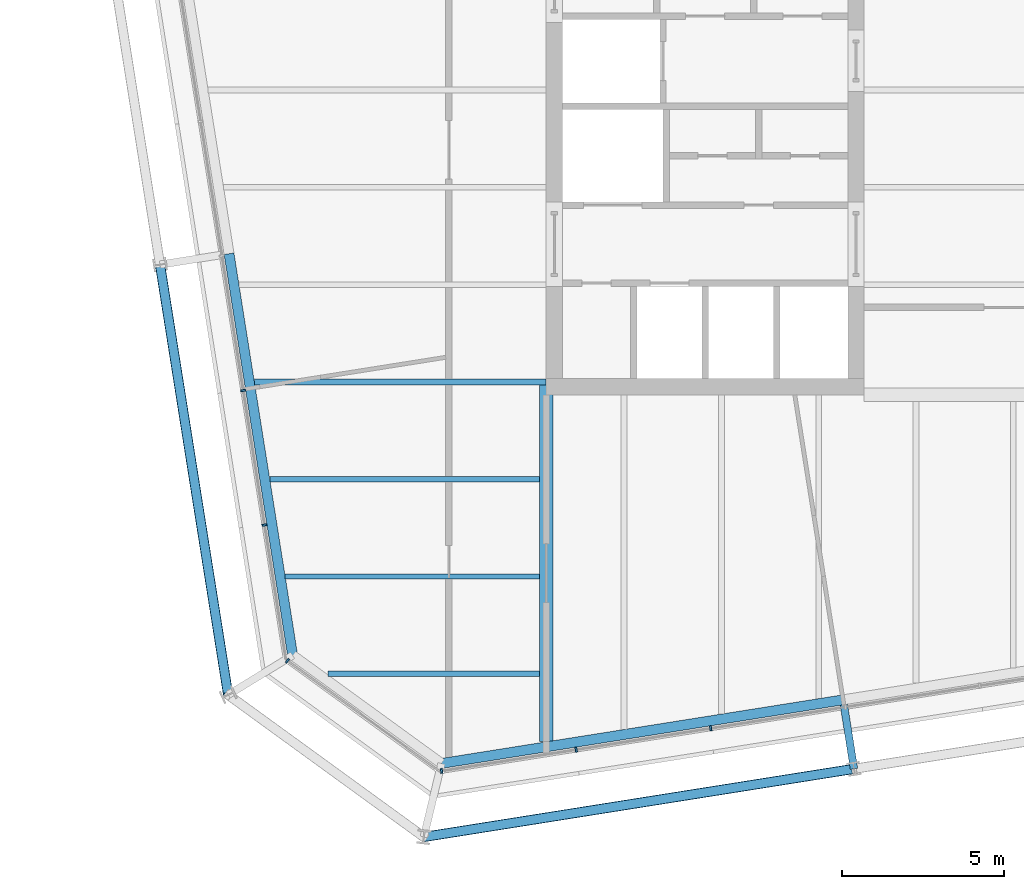
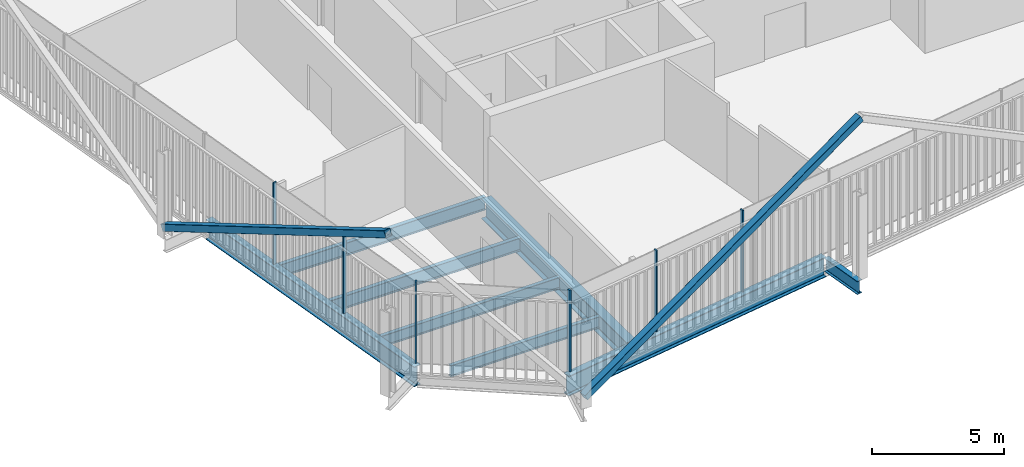
# One storey, part 2 of 21: 8 beams, 8 members, 3 elements without a shape of their own.
"""IFC4 building model written with IfcOpenShell, lengths in metres."""

import ifcopenshell
import ifcopenshell.guid

model = None  # the IFC model being written
_history = None  # IfcOwnerHistory: only IFC2X3 demands one
_inside = {}  # id of a spatial element -> (the spatial element, [elements in it])
_under = {}  # id of a project, library or spatial element -> (it, [spatial elements below it])
_declared = {}  # id of a project -> (the project, [libraries it declares])
_typed = {}  # id of a type object -> (the type object, [elements of that type])
_made_of = {}  # id of a material, layer set ... -> (it, [elements and type objects made of it])


def new_model(schema):
    """Start an empty IFC model of exactly this schema.

    Asked for "IFC4X3", IfcOpenShell would pick the latest addendum, in which some entities
    have other attributes; the version numbers below select the first issue.
    IFC2X3 requires an IfcOwnerHistory on every rooted entity: one is made here for all.
    """
    global model, _history
    if schema == "IFC4X3":
        model = ifcopenshell.file(schema_version=(4, 3, 0, 0))
    else:
        model = ifcopenshell.file(schema=schema)
    _inside.clear()
    _under.clear()
    _declared.clear()
    _typed.clear()
    _made_of.clear()
    _history = None
    if model.schema == "IFC2X3":
        org = make("IfcOrganization", Name="unknown")
        user = make(
            "IfcPersonAndOrganization",
            ThePerson=make("IfcPerson", FamilyName="unknown"),
            TheOrganization=org,
        )
        app = make(
            "IfcApplication",
            ApplicationDeveloper=org,
            Version="unknown",
            ApplicationFullName="unknown",
            ApplicationIdentifier="unknown",
        )
        _history = make(
            "IfcOwnerHistory",
            OwningUser=user,
            OwningApplication=app,
            ChangeAction="ADDED",
            CreationDate=0,
        )
    return model


def make(cls, **values):
    """One entity of the class cls with the attributes given. An attribute that is None is left unset."""
    return model.create_entity(
        cls, **{name: value for name, value in values.items() if value is not None}
    )


def rooted(cls, **values):
    """An entity with a GlobalId (a new one), such as an element, a storey or a relation."""
    return make(cls, GlobalId=ifcopenshell.guid.new(), OwnerHistory=_history, **values)


def si_unit(unit_type, name, prefix=None):
    """IfcSIUnit, for example si_unit("LENGTHUNIT", "METRE", prefix="MILLI")."""
    return make("IfcSIUnit", UnitType=unit_type, Prefix=prefix, Name=name)


def assignment(units):
    """IfcUnitAssignment: the units of a project."""
    return None if units is None else make("IfcUnitAssignment", Units=units)


def point(xyz):
    """IfcCartesianPoint."""
    return None if xyz is None else make("IfcCartesianPoint", Coordinates=xyz)


def direction(xyz):
    """IfcDirection."""
    return None if xyz is None else make("IfcDirection", DirectionRatios=xyz)


def frame(location, z_axis=None, x_axis=None):
    """IfcAxis2Placement3D, a coordinate frame: its origin and axes. An axis left out is left unset."""
    return make(
        "IfcAxis2Placement3D",
        Location=point(location),
        Axis=direction(z_axis),
        RefDirection=direction(x_axis),
    )


def frame_2d(location, x_axis=None):
    """IfcAxis2Placement2D, a coordinate frame in the plane: its origin and x axis."""
    return make(
        "IfcAxis2Placement2D", Location=point(location), RefDirection=direction(x_axis)
    )


def origin():
    """The frame at (0, 0, 0) with its axes left unset."""
    return frame((0.0, 0.0, 0.0))


def origin_2d():
    """The frame at (0, 0) in the plane with its x axis left unset."""
    return frame_2d((0.0, 0.0))


def place(relative_to, where):
    """IfcLocalPlacement: puts the frame where relative to a parent placement (None: the world)."""
    return make(
        "IfcLocalPlacement", PlacementRelTo=relative_to, RelativePlacement=where
    )


def context(
    kind, dimensions, precision=None, world=None, true_north=None, identifier=None
):
    """IfcGeometricRepresentationContext, for example the 3D "Model" context."""
    return make(
        "IfcGeometricRepresentationContext",
        ContextIdentifier=identifier,
        ContextType=kind,
        CoordinateSpaceDimension=dimensions,
        Precision=precision,
        WorldCoordinateSystem=world,
        TrueNorth=true_north,
    )


def subcontext(parent, identifier, kind, view, scale=None):
    """IfcGeometricRepresentationSubContext, for example "Body" below "Model"."""
    return make(
        "IfcGeometricRepresentationSubContext",
        ContextIdentifier=identifier,
        ContextType=kind,
        ParentContext=parent,
        TargetScale=scale,
        TargetView=view,
    )


def project(units=None, contexts=None):
    """IfcProject with its units and contexts."""
    return rooted(
        "IfcProject",
        Name="project",
        RepresentationContexts=contexts,
        UnitsInContext=assignment(units),
    )


def spatial(cls, under=None, at=None, **own):
    """A site, building, storey or space (cls), placed at a placement, below another one or the project."""
    s = rooted(cls, ObjectPlacement=at, **own)
    if under is not None:
        _under.setdefault(under.id(), (under, []))[1].append(s)
    return s


def profile(cls, at=None, kind="AREA", **sizes):
    """A parametric profile (cls). Its sizes go by their IFC names, for example OverallWidth=200.0."""
    return make(cls, ProfileType=kind, Position=at, **sizes)


def rectangle(**sizes):
    """IfcRectangleProfileDef."""
    return profile("IfcRectangleProfileDef", **sizes)


def hollow_rectangle(**sizes):
    """IfcRectangleHollowProfileDef."""
    return profile("IfcRectangleHollowProfileDef", **sizes)


def i_section(**sizes):
    """IfcIShapeProfileDef."""
    return profile("IfcIShapeProfileDef", **sizes)


def extrude(swept, where, along, depth):
    """IfcExtrudedAreaSolid: the profile swept, set in the frame where, extruded along a direction by depth."""
    return make(
        "IfcExtrudedAreaSolid",
        SweptArea=swept,
        Position=where,
        ExtrudedDirection=direction(along),
        Depth=depth,
    )


def shape(context_of_items, identifier, shape_type, items):
    """IfcShapeRepresentation: the items that make up one representation, for example the "Body"."""
    return make(
        "IfcShapeRepresentation",
        ContextOfItems=context_of_items,
        RepresentationIdentifier=identifier,
        RepresentationType=shape_type,
        Items=items,
    )


def material(Name=None, Category=None):
    """IfcMaterial."""
    return make("IfcMaterial", Name=Name, Category=Category)


def layer(
    of_material, thickness, ventilated=None, Name=None, Category=None, Priority=None
):
    """IfcMaterialLayer: one layer of a wall or slab, of a material (None: an air gap)."""
    return make(
        "IfcMaterialLayer",
        Material=of_material,
        LayerThickness=thickness,
        IsVentilated=ventilated,
        Name=Name,
        Category=Category,
        Priority=Priority,
    )


def layer_set(layers, Name=None):
    """IfcMaterialLayerSet."""
    return make("IfcMaterialLayerSet", MaterialLayers=layers, LayerSetName=Name)


def material_profile(
    of_material, cross_section, Name=None, Category=None, Priority=None
):
    """IfcMaterialProfile: a cross section and its material."""
    return make(
        "IfcMaterialProfile",
        Name=Name,
        Material=of_material,
        Profile=cross_section,
        Priority=Priority,
        Category=Category,
    )


def profile_set(profiles, Name=None, composite=None):
    """IfcMaterialProfileSet."""
    return make(
        "IfcMaterialProfileSet",
        Name=Name,
        MaterialProfiles=profiles,
        CompositeProfile=composite,
    )


def made_of(thing, what):
    """Note that an element or type object is made of a material, layer set ...; save() writes the relation."""
    if what is not None:
        _made_of.setdefault(what.id(), (what, []))[1].append(thing)
    return thing


def type_object(cls, material=None, **own):
    """A type object (cls), such as IfcWallType, which elements share."""
    return made_of(rooted(cls, **own), material)


def element(
    cls,
    number,
    at=None,
    inside=None,
    cuts=None,
    type_object=None,
    material=None,
    context=None,
    identifier="Body",
    shape_type=None,
    held_by="IfcProductDefinitionShape",
    body=None,
    shapes=None,
    **own,
):
    """One element of the class cls, such as IfcWall. Its Tag is "e" and its number.

    at: its placement. inside: the storey or other place that contains it. cuts: it is an
    opening in that element (IfcRelVoidsElement). A single representation is given by context,
    identifier, shape_type and body (its items); several are given by shapes. held_by: the class
    of the entity that holds the representations. save() writes the other relations.
    """
    e = rooted(cls, Tag="e%d" % number, ObjectPlacement=at, **own)
    if body is not None:
        shapes = [shape(context, identifier, shape_type, body)]
    if shapes is not None:
        e.Representation = make(held_by, Representations=shapes)
    if inside is not None:
        _inside.setdefault(inside.id(), (inside, []))[1].append(e)
    if cuts is not None:
        rooted(
            "IfcRelVoidsElement", RelatingBuildingElement=cuts, RelatedOpeningElement=e
        )
    if type_object is not None:
        _typed.setdefault(type_object.id(), (type_object, []))[1].append(e)
    return made_of(e, material)


def aggregate(whole, parts):
    """IfcRelAggregates: a whole, such as a stair, and the parts it consists of."""
    return rooted("IfcRelAggregates", RelatingObject=whole, RelatedObjects=parts)


def save(model, path):
    """Write the relations noted so far, then the file.

    IfcRelAggregates (storeys below a building ...), IfcRelContainedInSpatialStructure (elements
    in a storey), IfcRelDefinesByType, IfcRelAssociatesMaterial and IfcRelDeclares: one each for
    every whole, place, type object, material and project.
    """
    for whole, parts in _under.values():
        aggregate(whole, parts)
    for where, things in _inside.values():
        rooted(
            "IfcRelContainedInSpatialStructure",
            RelatedElements=things,
            RelatingStructure=where,
        )
    for kind, things in _typed.values():
        rooted("IfcRelDefinesByType", RelatedObjects=things, RelatingType=kind)
    for what, things in _made_of.values():
        rooted("IfcRelAssociatesMaterial", RelatedObjects=things, RelatingMaterial=what)
    for by, libraries in _declared.values():
        rooted("IfcRelDeclares", RelatingContext=by, RelatedDefinitions=libraries)
    model.write(path)


model = new_model("IFC4")

# Units and contexts
model_context = context("Model", 3, precision=1e-05, world=origin(), true_north=direction((0.0, 1.0)))
body_context = subcontext(model_context, "Body", "Model", "MODEL_VIEW")
ifc_project = project(units=[si_unit("LENGTHUNIT", "METRE"), si_unit("AREAUNIT", "SQUARE_METRE"), si_unit("VOLUMEUNIT", "CUBIC_METRE"), si_unit("PLANEANGLEUNIT", "RADIAN"), si_unit("MASSUNIT", "GRAM", prefix="KILO")], contexts=[model_context])

# Site, building, storey
site_placement = place(None, origin())
site = spatial("IfcSite", under=ifc_project, at=site_placement, CompositionType="ELEMENT")
building_placement = place(site_placement, origin())
building = spatial("IfcBuilding", under=site, at=building_placement, Name="Millrace Tower", CompositionType="ELEMENT")
storey_placement = place(building_placement, frame((0.0, 0.0, 212.5)))
storey = spatial("IfcBuildingStorey", under=building, at=storey_placement, Name="L48", CompositionType="ELEMENT", Elevation=212.5)

# Curtain wall, member
ifc_material_1 = material(Name="Aluminium and glass", Category="aluminium")
ifc_layer = layer(ifc_material_1, 0.14990234375)
ifc_layer_set = layer_set([ifc_layer], Name="Aluminium and glass")
curtain_wall_type = type_object("IfcCurtainWallType", Name="CW-1 office vision curtain wall", PredefinedType="NOTDEFINED", material=ifc_layer_set)
placement = place(storey_placement, origin())
curtain_wall_1 = element("IfcCurtainWall", 1, at=placement, inside=storey, type_object=curtain_wall_type, Name="Curtain wall D-F01 L48", PredefinedType="NOTDEFINED")
ifc_material_2 = material(Name="Aluminium", Category="aluminium")
ifc_material_profile_1 = material_profile(ifc_material_2, rectangle(XDim=0.06494140625, YDim=0.14990234375, at=origin_2d()))
ifc_profile_set_1 = profile_set([ifc_material_profile_1], Name="Aluminium")
member_type_1 = type_object("IfcMemberType", Name="CW-1 office vision curtain wall mullion", PredefinedType="MULLION", material=ifc_profile_set_1)
member_1_placement = place(storey_placement, frame((-22.3779296875, -17.594970703125, 0.139892578125), z_axis=(0.0, 0.0, 1.0), x_axis=(0.809016955361, -0.587785305991, 0.0)))
member_1 = element("IfcMember", 2, at=member_1_placement, type_object=member_type_1, Name="CW1 mullion D-F01.1", PredefinedType="MULLION", context=body_context, shape_type="SweptSolid", body=[
    extrude(rectangle(XDim=0.06494140625, YDim=0.14990234375, at=origin_2d()), origin(), (0.0, 0.0, 1.0), 3.760009765625),
])
aggregate(curtain_wall_1, [member_1])

# Curtain wall, members
curtain_wall_2 = element("IfcCurtainWall", 3, at=placement, inside=storey, type_object=curtain_wall_type, Name="Curtain wall D-F02 L48", PredefinedType="NOTDEFINED")
member_2_placement = place(storey_placement, frame((-17.62548828125, -20.992431640625, 0.139892578125), z_axis=(0.0, 0.0, 1.0), x_axis=(0.987688339511, 0.156434471884, 0.0)))
member_2 = element("IfcMember", 4, at=member_2_placement, type_object=member_type_1, Name="CW1 mullion D-F02.1", PredefinedType="MULLION", context=body_context, shape_type="SweptSolid", body=[
    extrude(rectangle(XDim=0.06494140625, YDim=0.14990234375, at=origin_2d()), origin(), (0.0, 0.0, 1.0), 3.760009765625),
])
member_3_placement = place(storey_placement, frame((-13.477294921875, -20.33544921875, 0.139892578125), z_axis=(0.0, 0.0, 1.0), x_axis=(0.987688339511, 0.156434471884, 0.0)))
member_3 = element("IfcMember", 5, at=member_3_placement, type_object=member_type_1, Name="CW1 mullion D-F02.2", PredefinedType="MULLION", context=body_context, shape_type="SweptSolid", body=[
    extrude(rectangle(XDim=0.06494140625, YDim=0.14990234375, at=origin_2d()), origin(), (0.0, 0.0, 1.0), 3.760009765625),
])
member_4_placement = place(storey_placement, frame((-9.328857421875, -19.678466796875, 0.139892578125), z_axis=(0.0, 0.0, 1.0), x_axis=(0.987688339511, 0.156434471884, 0.0)))
member_4 = element("IfcMember", 6, at=member_4_placement, type_object=member_type_1, Name="CW1 mullion D-F02.3", PredefinedType="MULLION", context=body_context, shape_type="SweptSolid", body=[
    extrude(rectangle(XDim=0.06494140625, YDim=0.14990234375, at=origin_2d()), origin(), (0.0, 0.0, 1.0), 3.760009765625),
])
aggregate(curtain_wall_2, [member_2, member_3, member_4])

curtain_wall_3 = element("IfcCurtainWall", 7, at=placement, inside=storey, type_object=curtain_wall_type, Name="Curtain wall D-F08 L48", PredefinedType="NOTDEFINED")
member_5_placement = place(storey_placement, frame((-23.7431640625, -9.262451171875, 0.139892578125), z_axis=(0.0, 0.0, 1.0), x_axis=(0.156434471884, -0.987688339511, 0.0)))
member_5 = element("IfcMember", 8, at=member_5_placement, type_object=member_type_1, Name="CW1 mullion D-F08.8", PredefinedType="MULLION", context=body_context, shape_type="SweptSolid", body=[
    extrude(rectangle(XDim=0.06494140625, YDim=0.14990234375, at=origin_2d()), origin(), (0.0, 0.0, 1.0), 3.760009765625),
])
member_6_placement = place(storey_placement, frame((-23.086181640625, -13.410888671875, 0.139892578125), z_axis=(0.0, 0.0, 1.0), x_axis=(0.156434471884, -0.987688339511, 0.0)))
member_6 = element("IfcMember", 9, at=member_6_placement, type_object=member_type_1, Name="CW1 mullion D-F08.9", PredefinedType="MULLION", context=body_context, shape_type="SweptSolid", body=[
    extrude(rectangle(XDim=0.06494140625, YDim=0.14990234375, at=origin_2d()), origin(), (0.0, 0.0, 1.0), 3.760009765625),
])
aggregate(curtain_wall_3, [member_5, member_6])

# Members
ifc_material_3 = material(Name="Steel ASTM A500 Grade C", Category="steel")
ifc_material_profile_2 = material_profile(ifc_material_3, hollow_rectangle(XDim=0.3046875, YDim=0.3046875, WallThickness=0.0126953125, InnerFilletRadius=0.00634765625, OuterFilletRadius=0.01904296875, at=origin_2d()))
ifc_profile_set_2 = profile_set([ifc_material_profile_2], Name="Steel ASTM A500 Grade C")
member_type_2 = type_object("IfcMemberType", Name="Exoskeleton brace HSS12x12x1/2", PredefinedType="BRACE", material=ifc_profile_set_2)
member_7_placement = place(storey_placement, frame((-18.174560546875, -23.0283203125, 0.39990234375), z_axis=(0.875831763156, 0.138714339442, 0.462252154868), x_axis=(-0.156430301989, 0.987688999949, 0.0)))
element("IfcMember", 10, at=member_7_placement, inside=storey, type_object=member_type_2, Name="BRC-D-L48-02", PredefinedType="BRACE", context=body_context, shape_type="SweptSolid", body=[
    extrude(hollow_rectangle(XDim=0.3046875, YDim=0.3046875, WallThickness=0.0126953125, InnerFilletRadius=0.00634765625, OuterFilletRadius=0.01904296875, at=origin_2d()), origin(), (0.0, 0.0, 1.0), 15.143310546875),
])
member_8_placement = place(storey_placement, frame((-26.306640625, -5.38330078125, 0.39990234375), z_axis=(0.138712380788, -0.87583551821, 0.462245627841), x_axis=(0.987689444837, 0.156427492975, 0.0)))
element("IfcMember", 11, at=member_8_placement, inside=storey, type_object=member_type_2, Name="BRC-D-L48-16", PredefinedType="BRACE", context=body_context, shape_type="SweptSolid", body=[
    extrude(hollow_rectangle(XDim=0.3046875, YDim=0.3046875, WallThickness=0.0126953125, InnerFilletRadius=0.00634765625, OuterFilletRadius=0.01904296875, at=origin_2d()), origin(), (0.0, 0.0, 1.0), 15.1435546875),
])

# Beams
ifc_material_4 = material(Name="Steel ASTM A992 Grade 50", Category="steel")
ifc_material_profile_3 = material_profile(ifc_material_4, i_section(OverallWidth=0.1650390625, OverallDepth=0.52587890625, WebThickness=0.0087890625, FlangeThickness=0.011474609375, FilletRadius=0.0126953125, at=origin_2d()))
ifc_profile_set_3 = profile_set([ifc_material_profile_3], Name="Steel ASTM A992 Grade 50")
beam_type_1 = type_object("IfcBeamType", Name="Floor beam W21x44", PredefinedType="JOIST", material=ifc_profile_set_3)
beam_1_placement = place(storey_placement, frame((-22.447509765625, -15.0, -0.4228515625), z_axis=(1.0, 0.0, 0.0), x_axis=(0.0, 1.0, 0.0)))
element("IfcBeam", 12, at=beam_1_placement, inside=storey, type_object=beam_type_1, Name="BM-D-L48-S1-S002", PredefinedType="JOIST", context=body_context, shape_type="SweptSolid", body=[
    extrude(i_section(OverallWidth=0.1650390625, OverallDepth=0.52587890625, WebThickness=0.0087890625, FlangeThickness=0.011474609375, FilletRadius=0.0126953125, at=origin_2d()), origin(), (0.0, 0.0, 1.0), 7.837890625),
])
beam_2_placement = place(storey_placement, frame((-21.13427734375, -18.0, -0.4228515625), z_axis=(1.0, 0.0, 0.0), x_axis=(0.0, 1.0, 0.0)))
element("IfcBeam", 13, at=beam_2_placement, inside=storey, type_object=beam_type_1, Name="BM-D-L48-S1-S001", PredefinedType="JOIST", context=body_context, shape_type="SweptSolid", body=[
    extrude(i_section(OverallWidth=0.1650390625, OverallDepth=0.52587890625, WebThickness=0.0087890625, FlangeThickness=0.011474609375, FilletRadius=0.0126953125, at=origin_2d()), origin(), (0.0, 0.0, 1.0), 6.524658203125),
])
ifc_material_5 = material(Name="Steel ASTM A992 Grade 50", Category="steel")
ifc_material_profile_4 = material_profile(ifc_material_5, i_section(OverallWidth=0.177978515625, OverallDepth=0.599365234375, WebThickness=0.010009765625, FlangeThickness=0.012939453125, FilletRadius=0.012939453125, at=origin_2d()))
ifc_profile_set_4 = profile_set([ifc_material_profile_4], Name="Steel ASTM A992 Grade 50")
beam_type_2 = type_object("IfcBeamType", Name="Floor beam W24x55", PredefinedType="JOIST", material=ifc_profile_set_4)
beam_3_placement = place(storey_placement, frame((-22.922607421875, -12.0, -0.459716796875), z_axis=(1.0, 0.0, 0.0), x_axis=(0.0, 1.0, 0.0)))
element("IfcBeam", 14, at=beam_3_placement, inside=storey, type_object=beam_type_2, Name="BM-D-L48-S1-S004", PredefinedType="JOIST", context=body_context, shape_type="SweptSolid", body=[
    extrude(i_section(OverallWidth=0.177978515625, OverallDepth=0.599365234375, WebThickness=0.010009765625, FlangeThickness=0.012939453125, FilletRadius=0.012939453125, at=origin_2d()), origin(), (0.0, 0.0, 1.0), 8.31298828125),
])
beam_4_placement = place(storey_placement, frame((-23.397705078125, -9.0, -0.459716796875), z_axis=(1.0, 0.0, 0.0), x_axis=(0.0, 1.0, 0.0)))
element("IfcBeam", 15, at=beam_4_placement, inside=storey, type_object=beam_type_2, Name="BM-D-L48-S1-S006", PredefinedType="JOIST", context=body_context, shape_type="SweptSolid", body=[
    extrude(i_section(OverallWidth=0.177978515625, OverallDepth=0.599365234375, WebThickness=0.010009765625, FlangeThickness=0.012939453125, FilletRadius=0.012939453125, at=origin_2d()), origin(), (0.0, 0.0, 1.0), 8.997802734375),
])
ifc_material_6 = material(Name="Steel ASTM A992 Grade 50", Category="steel")
ifc_material_profile_5 = material_profile(ifc_material_6, i_section(OverallWidth=0.419189453125, OverallDepth=0.927001953125, WebThickness=0.019287109375, FlangeThickness=0.031982421875, FilletRadius=0.024169921875, at=origin_2d()))
ifc_profile_set_5 = profile_set([ifc_material_profile_5], Name="Steel ASTM A992 Grade 50")
beam_type_3 = type_object("IfcBeamType", Name="Girder short span W36x231", PredefinedType="BEAM", material=ifc_profile_set_5)
beam_5_placement = place(storey_placement, frame((-14.39990234375, -20.08642578125, -0.62353515625), z_axis=(0.0, 1.0, 0.0), x_axis=(-1.0, 0.0, 0.0)))
element("IfcBeam", 16, at=beam_5_placement, inside=storey, type_object=beam_type_3, Name="BM-D-L48-S1-G055", PredefinedType="BEAM", context=body_context, shape_type="SweptSolid", body=[
    extrude(i_section(OverallWidth=0.419189453125, OverallDepth=0.927001953125, WebThickness=0.019287109375, FlangeThickness=0.031982421875, FilletRadius=0.024169921875, at=origin_2d()), origin(), (0.0, 0.0, 1.0), 10.994384765625),
])
ifc_material_7 = material(Name="Steel ASTM A992 Grade 50", Category="steel")
ifc_material_profile_6 = material_profile(ifc_material_7, i_section(OverallWidth=0.23046875, OverallDepth=0.6171875, WebThickness=0.01318359375, FlangeThickness=0.022216796875, FilletRadius=0.012939453125, at=origin_2d()))
ifc_profile_set_6 = profile_set([ifc_material_profile_6], Name="Steel ASTM A992 Grade 50")
beam_type_4 = type_object("IfcBeamType", Name="Link beam W24x94", PredefinedType="BEAM", material=ifc_profile_set_6)
beam_6_placement = place(storey_placement, frame((-5.224365234375, -18.952392578125, -0.468505859375), z_axis=(0.15637629034, -0.987697552806, 0.0), x_axis=(0.987697552806, 0.15637629034, 0.0)))
element("IfcBeam", 17, at=beam_6_placement, inside=storey, type_object=beam_type_4, Name="LNK-D-L48-S1-15", PredefinedType="BEAM", context=body_context, shape_type="SweptSolid", body=[
    extrude(i_section(OverallWidth=0.23046875, OverallDepth=0.6171875, WebThickness=0.01318359375, FlangeThickness=0.022216796875, FilletRadius=0.012939453125, at=origin_2d()), origin(), (0.0, 0.0, 1.0), 2.0),
])
ifc_material_8 = material(Name="Steel ASTM A992 Grade 50", Category="steel")
ifc_material_profile_7 = material_profile(ifc_material_8, i_section(OverallWidth=0.307373046875, OverallDepth=0.927001953125, WebThickness=0.01953125, FlangeThickness=0.031982421875, FilletRadius=0.01904296875, at=origin_2d()))
ifc_profile_set_7 = profile_set([ifc_material_profile_7], Name="Steel ASTM A992 Grade 50")
beam_type_5 = type_object("IfcBeamType", Name="Ring beam medium span W36x194", PredefinedType="SPANDREL", material=ifc_profile_set_7)
beam_7_placement = place(storey_placement, frame((-22.218505859375, -17.428466796875, -0.62353515625), z_axis=(-0.156419577072, 0.987690698503, 0.0), x_axis=(-0.987690698503, -0.156419577072, 0.0)))
element("IfcBeam", 18, at=beam_7_placement, inside=storey, type_object=beam_type_5, Name="RNG-D-L48-S1-01", PredefinedType="SPANDREL", context=body_context, shape_type="SweptSolid", body=[
    extrude(i_section(OverallWidth=0.307373046875, OverallDepth=0.927001953125, WebThickness=0.01953125, FlangeThickness=0.031982421875, FilletRadius=0.01904296875, at=origin_2d()), origin(), (0.0, 0.0, 1.0), 12.536376953125),
])
beam_8_placement = place(storey_placement, frame((-5.24853515625, -18.800537109375, -0.62353515625), z_axis=(-0.987687213011, -0.156441584157, 0.0), x_axis=(0.156441584157, -0.987687213011, 0.0)))
element("IfcBeam", 19, at=beam_8_placement, inside=storey, type_object=beam_type_5, Name="RNG-D-L48-S1-15", PredefinedType="SPANDREL", context=body_context, shape_type="SweptSolid", body=[
    extrude(i_section(OverallWidth=0.307373046875, OverallDepth=0.927001953125, WebThickness=0.01953125, FlangeThickness=0.031982421875, FilletRadius=0.01904296875, at=origin_2d()), origin(), (0.0, 0.0, 1.0), 12.5361328125),
])

save(model, "model.ifc")
